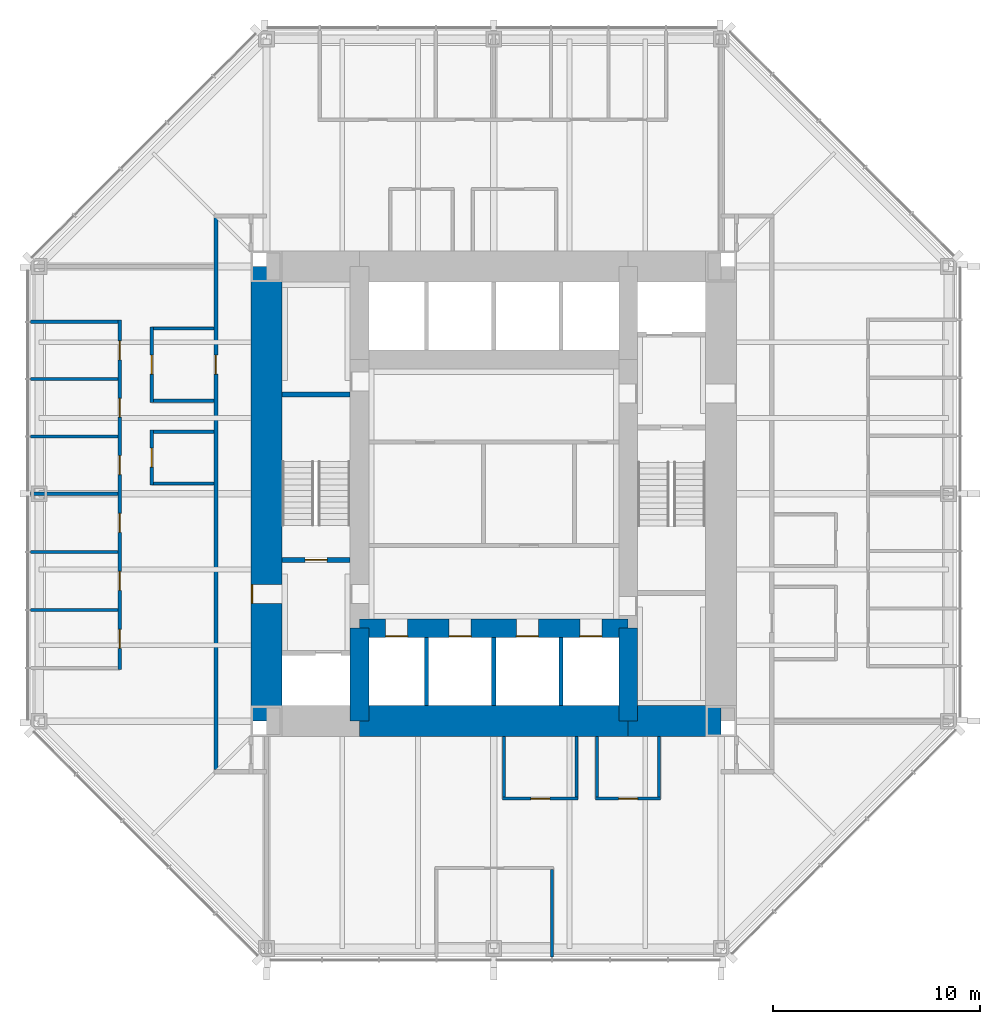
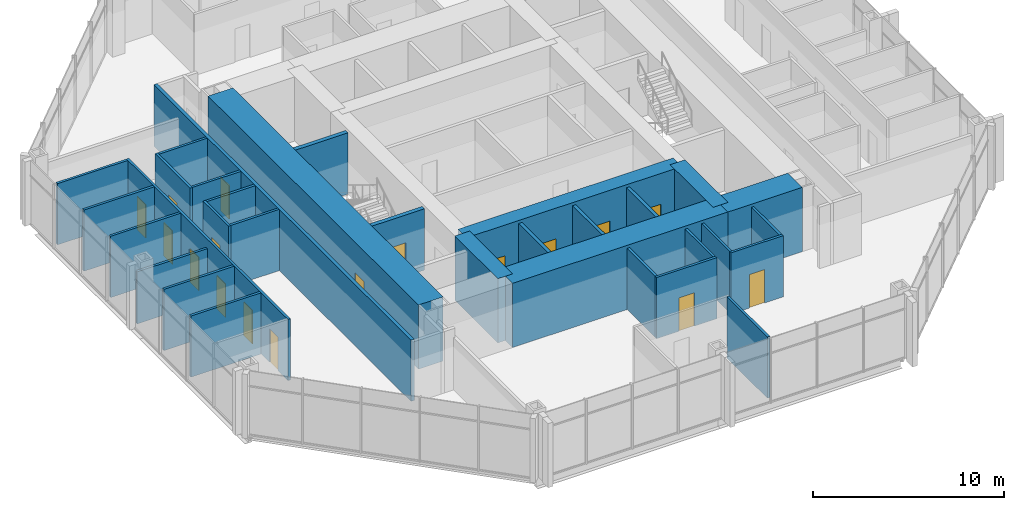
# One storey, part 9 of 14: 32 walls, 17 doors, 17 openings.
"""IFC4 building model written with IfcOpenShell, lengths in metres."""

from ifc_helpers import new_model, si_unit, direction, frame, frame_2d, origin, place, context, subcontext, project, spatial, rectangle, extrude, material, layer, layer_set, type_object, element, fill, save


model = new_model("IFC4")

# Units and contexts
model_context = context("Model", 3, precision=1e-05, world=origin(), true_north=direction((0.0, 1.0)))
body_context = subcontext(model_context, "Body", "Model", "MODEL_VIEW")
ifc_project = project(units=[si_unit("LENGTHUNIT", "METRE"), si_unit("AREAUNIT", "SQUARE_METRE"), si_unit("VOLUMEUNIT", "CUBIC_METRE"), si_unit("PLANEANGLEUNIT", "RADIAN"), si_unit("MASSUNIT", "GRAM", prefix="KILO")], contexts=[model_context])

# Site, building, storey
site_placement = place(None, origin())
site = spatial("IfcSite", under=ifc_project, at=site_placement, CompositionType="ELEMENT")
building_placement = place(site_placement, origin())
building = spatial("IfcBuilding", under=site, at=building_placement, Name="Trevanion Tower", CompositionType="ELEMENT")
storey_placement = place(building_placement, frame((0.0, 0.0, 100.800048828125)))
storey = spatial("IfcBuildingStorey", under=building, at=storey_placement, Name="L23", CompositionType="ELEMENT", Elevation=100.800048828125)

# Wall, opening, door
ifc_material_1 = material(Name="Concrete 10,000 psi", Category="concrete")
ifc_layer_1 = layer(ifc_material_1, 1.5)
ifc_layer_set_1 = layer_set([ifc_layer_1], Name="CW1 core wall 1500")
wall_type_1 = type_object("IfcWallType", Name="CW1 core wall 1500", PredefinedType="SHEAR", material=ifc_layer_set_1)
wall_1_placement = place(storey_placement, frame((-11.0, 11.0, 0.0), z_axis=(0.0, 0.0, 1.0), x_axis=(0.0, -1.0, 0.0)))
wall_1 = element("IfcWall", 1, at=wall_1_placement, inside=storey, type_object=wall_type_1, Name="CW1 CW L23", PredefinedType="SHEAR", context=body_context, shape_type="SweptSolid", body=[
    extrude(rectangle(XDim=22.0, YDim=1.5, at=frame_2d((11.0, 0.0))), origin(), (0.0, 0.0, 1.0), 4.099853515625),
])
opening_1_placement = place(wall_1_placement, frame((15.392578125, 0.0, 0.0)))
opening_1 = element("IfcOpeningElement", 2, at=opening_1_placement, cuts=wall_1, Name="Opening 23-002", PredefinedType="OPENING", context=body_context, shape_type="SweptSolid", body=[
    extrude(rectangle(XDim=0.9150390625, YDim=2.134033203125, at=frame_2d((0.45751953125, 1.06689453125))), frame((0.0, 0.760009765625, 0.0), z_axis=(0.0, -1.0, 0.0), x_axis=(1.0, 0.0, 0.0)), (0.0, 0.0, 1.0), 1.52001953125),
])
ifc_material_2 = material(Name="Hollow metal, fire rated", Category="steel")
door_type_1 = type_object("IfcDoorType", Name="D3 fire lift lobby door", OperationType="SINGLE_SWING_RIGHT", PredefinedType="DOOR", material=ifc_material_2)
door_1_placement = place(opening_1_placement, origin())
door_1 = element("IfcDoor", 3, at=door_1_placement, inside=storey, type_object=door_type_1, Name="Door 23-002", OperationType="SINGLE_SWING_RIGHT", OverallHeight=2.134033203125, OverallWidth=0.9150390625, PredefinedType="DOOR", context=body_context, shape_type="SweptSolid", body=[
    extrude(rectangle(XDim=0.9150390625, YDim=2.134033203125, at=frame_2d((0.45751953125, 1.06689453125))), frame((0.0, -0.6748046875, 0.0), z_axis=(0.0, -1.0, 0.0), x_axis=(1.0, 0.0, 0.0)), (0.0, 0.0, 1.0), 0.050048828125),
])
fill(opening_1, door_1)

# Walls
wall_2_placement = place(storey_placement, frame((-6.5, -11.0, 0.0), z_axis=(0.0, 0.0, 1.0), x_axis=(1.0, 0.0, 0.0)))
element("IfcWall", 4, at=wall_2_placement, inside=storey, type_object=wall_type_1, Name="CW1 CS2 L23", PredefinedType="SHEAR", context=body_context, shape_type="SweptSolid", body=[
    extrude(rectangle(XDim=13.0, YDim=1.5, at=frame_2d((6.5, 0.0))), origin(), (0.0, 0.0, 1.0), 4.099853515625),
])
wall_3_placement = place(storey_placement, frame((6.5, -11.0, 0.0), z_axis=(0.0, 0.0, 1.0), x_axis=(1.0, 0.0, 0.0)))
element("IfcWall", 5, at=wall_3_placement, inside=storey, type_object=wall_type_1, Name="CW1 CS3 L23", PredefinedType="SHEAR", context=body_context, shape_type="SweptSolid", body=[
    extrude(rectangle(XDim=4.5, YDim=1.5, at=frame_2d((2.25, 0.0))), origin(), (0.0, 0.0, 1.0), 4.099853515625),
])
ifc_material_3 = material(Name="Concrete 10,000 psi", Category="concrete")
ifc_layer_2 = layer(ifc_material_3, 0.89990234375)
ifc_layer_set_2 = layer_set([ifc_layer_2], Name="CW2 core wall 900")
wall_type_2 = type_object("IfcWallType", Name="CW2 core wall 900", PredefinedType="SHEAR", material=ifc_layer_set_2)
for number, where, z_axis, x_axis, name in (
    (6, (6.5, -11.0, 0.0), (0.0, 0.0, 1.0), (0.0, 1.0, 0.0), "CW2 RE1 L23"),
    (7, (-6.5, -6.5, 0.0), (0.0, 0.0, 1.0), (0.0, -1.0, 0.0), "CW2 RW3 L23"),
):
    element("IfcWall", number, at=place(storey_placement, frame(where, z_axis=z_axis, x_axis=x_axis)), inside=storey, type_object=wall_type_2, Name=name, PredefinedType="SHEAR", context=body_context, shape_type="SweptSolid", body=[
        extrude(rectangle(XDim=4.5, YDim=0.89990234375, at=frame_2d((2.25, 0.0))), origin(), (0.0, 0.0, 1.0), 4.099853515625),
    ])

# Wall, openings, doors
wall_4_placement = place(storey_placement, frame((-6.5, -6.5, 0.0), z_axis=(0.0, 0.0, 1.0), x_axis=(1.0, 0.0, 0.0)))
wall_4 = element("IfcWall", 8, at=wall_4_placement, inside=storey, type_object=wall_type_2, Name="CW2 RS L23", PredefinedType="SHEAR", context=body_context, shape_type="SweptSolid", body=[
    extrude(rectangle(XDim=13.0, YDim=0.89990234375, at=frame_2d((6.5, 0.0))), origin(), (0.0, 0.0, 1.0), 4.099853515625),
])
opening_2_placement = place(wall_4_placement, frame((1.2666015625, 0.0, 0.0)))
opening_2 = element("IfcOpeningElement", 9, at=opening_2_placement, cuts=wall_4, Name="Opening 23-011", PredefinedType="OPENING", context=body_context, shape_type="SweptSolid", body=[
    extrude(rectangle(XDim=1.06689453125, YDim=2.134033203125, at=frame_2d((0.533447265625, 1.06689453125))), frame((0.0, 0.4599609375, 0.0), z_axis=(0.0, -1.0, 0.0), x_axis=(1.0, 0.0, 0.0)), (0.0, 0.0, 1.0), 0.919921875),
])
opening_3_placement = place(wall_4_placement, frame((4.341552734375, 0.0, 0.0)))
opening_3 = element("IfcOpeningElement", 10, at=opening_3_placement, cuts=wall_4, Name="Opening 23-012", PredefinedType="OPENING", context=body_context, shape_type="SweptSolid", body=[
    extrude(rectangle(XDim=1.06689453125, YDim=2.134033203125, at=frame_2d((0.533447265625, 1.06689453125))), frame((0.0, 0.4599609375, 0.0), z_axis=(0.0, -1.0, 0.0), x_axis=(1.0, 0.0, 0.0)), (0.0, 0.0, 1.0), 0.919921875),
])
opening_4_placement = place(wall_4_placement, frame((7.591552734375, 0.0, 0.0)))
opening_4 = element("IfcOpeningElement", 11, at=opening_4_placement, cuts=wall_4, Name="Opening 23-013", PredefinedType="OPENING", context=body_context, shape_type="SweptSolid", body=[
    extrude(rectangle(XDim=1.06689453125, YDim=2.134033203125, at=frame_2d((0.533447265625, 1.06689453125))), frame((0.0, 0.4599609375, 0.0), z_axis=(0.0, -1.0, 0.0), x_axis=(1.0, 0.0, 0.0)), (0.0, 0.0, 1.0), 0.919921875),
])
opening_5_placement = place(wall_4_placement, frame((10.66650390625, 0.0, 0.0)))
opening_5 = element("IfcOpeningElement", 12, at=opening_5_placement, cuts=wall_4, Name="Opening 23-014", PredefinedType="OPENING", context=body_context, shape_type="SweptSolid", body=[
    extrude(rectangle(XDim=1.06689453125, YDim=2.134033203125, at=frame_2d((0.533447265625, 1.06689453125))), frame((0.0, 0.4599609375, 0.0), z_axis=(0.0, -1.0, 0.0), x_axis=(1.0, 0.0, 0.0)), (0.0, 0.0, 1.0), 0.919921875),
])
ifc_material_4 = material(Name="Stainless steel, fire rated", Category="steel")
door_type_2 = type_object("IfcDoorType", Name="LD1 lift landing door", OperationType="SLIDING_TO_LEFT", PredefinedType="DOOR", material=ifc_material_4)
door_2_placement = place(opening_2_placement, origin())
door_2 = element("IfcDoor", 13, at=door_2_placement, inside=storey, type_object=door_type_2, Name="Door 23-011", OperationType="SLIDING_TO_LEFT", OverallHeight=2.134033203125, OverallWidth=1.06689453125, PredefinedType="DOOR", context=body_context, shape_type="SweptSolid", body=[
    extrude(rectangle(XDim=1.06689453125, YDim=2.134033203125, at=frame_2d((0.533447265625, 1.06689453125))), frame((0.0, -0.375, 0.0), z_axis=(0.0, -1.0, 0.0), x_axis=(1.0, 0.0, 0.0)), (0.0, 0.0, 1.0), 0.050048828125),
])
fill(opening_2, door_2)
door_3_placement = place(opening_3_placement, origin())
door_3 = element("IfcDoor", 14, at=door_3_placement, inside=storey, type_object=door_type_2, Name="Door 23-012", OperationType="SLIDING_TO_LEFT", OverallHeight=2.134033203125, OverallWidth=1.06689453125, PredefinedType="DOOR", context=body_context, shape_type="SweptSolid", body=[
    extrude(rectangle(XDim=1.06689453125, YDim=2.134033203125, at=frame_2d((0.533447265625, 1.06689453125))), frame((0.0, -0.375, 0.0), z_axis=(0.0, -1.0, 0.0), x_axis=(1.0, 0.0, 0.0)), (0.0, 0.0, 1.0), 0.050048828125),
])
fill(opening_3, door_3)
door_4_placement = place(opening_4_placement, origin())
door_4 = element("IfcDoor", 15, at=door_4_placement, inside=storey, type_object=door_type_2, Name="Door 23-013", OperationType="SLIDING_TO_LEFT", OverallHeight=2.134033203125, OverallWidth=1.06689453125, PredefinedType="DOOR", context=body_context, shape_type="SweptSolid", body=[
    extrude(rectangle(XDim=1.06689453125, YDim=2.134033203125, at=frame_2d((0.533447265625, 1.06689453125))), frame((0.0, -0.375, 0.0), z_axis=(0.0, -1.0, 0.0), x_axis=(1.0, 0.0, 0.0)), (0.0, 0.0, 1.0), 0.050048828125),
])
fill(opening_4, door_4)
door_5_placement = place(opening_5_placement, origin())
door_5 = element("IfcDoor", 16, at=door_5_placement, inside=storey, type_object=door_type_2, Name="Door 23-014", OperationType="SLIDING_TO_LEFT", OverallHeight=2.134033203125, OverallWidth=1.06689453125, PredefinedType="DOOR", context=body_context, shape_type="SweptSolid", body=[
    extrude(rectangle(XDim=1.06689453125, YDim=2.134033203125, at=frame_2d((0.533447265625, 1.06689453125))), frame((0.0, -0.375, 0.0), z_axis=(0.0, -1.0, 0.0), x_axis=(1.0, 0.0, 0.0)), (0.0, 0.0, 1.0), 0.050048828125),
])
fill(opening_5, door_5)

ifc_material_5 = material(Name="Gypsum board on steel studs", Category="steel")
ifc_layer_3 = layer(ifc_material_5, 0.14990234375)
ifc_layer_set_3 = layer_set([ifc_layer_3], Name="PT1 partition 150")
wall_type_3 = type_object("IfcWallType", Name="PT1 partition 150", PredefinedType="PARTITIONING", material=ifc_layer_set_3)
wall_5_placement = place(storey_placement, frame((-18.10009765625, 8.39794921875, 0.0), z_axis=(0.0, 0.0, 1.0), x_axis=(0.0, -1.0, 0.0)))
wall_5 = element("IfcWall", 17, at=wall_5_placement, inside=storey, type_object=wall_type_3, Name="PT1 L23 FC2F", PredefinedType="PARTITIONING", context=body_context, shape_type="SweptSolid", body=[
    extrude(rectangle(XDim=16.89404296875, YDim=0.14990234375, at=frame_2d((8.447021484375, 0.0))), origin(), (0.0, 0.0, 1.0), 3.909912109375),
])
opening_6_placement = place(wall_5_placement, frame((1.00439453125, 0.0, 0.0)))
opening_6 = element("IfcOpeningElement", 18, at=opening_6_placement, cuts=wall_5, Name="Opening 23-033", PredefinedType="OPENING", context=body_context, shape_type="SweptSolid", body=[
    extrude(rectangle(XDim=0.9150390625, YDim=2.134033203125, at=frame_2d((0.45751953125, 1.06689453125))), frame((0.0, 0.0849609375, 0.0), z_axis=(0.0, -1.0, 0.0), x_axis=(1.0, 0.0, 0.0)), (0.0, 0.0, 1.0), 0.169921875),
])
opening_7_placement = place(wall_5_placement, frame((3.778564453125, 0.0, 0.0)))
opening_7 = element("IfcOpeningElement", 19, at=opening_7_placement, cuts=wall_5, Name="Opening 23-034", PredefinedType="OPENING", context=body_context, shape_type="SweptSolid", body=[
    extrude(rectangle(XDim=0.9150390625, YDim=2.134033203125, at=frame_2d((0.45751953125, 1.06689453125))), frame((0.0, 0.0849609375, 0.0), z_axis=(0.0, -1.0, 0.0), x_axis=(1.0, 0.0, 0.0)), (0.0, 0.0, 1.0), 0.169921875),
])
opening_8_placement = place(wall_5_placement, frame((6.552978515625, 0.0, 0.0)))
opening_8 = element("IfcOpeningElement", 20, at=opening_8_placement, cuts=wall_5, Name="Opening 23-035", PredefinedType="OPENING", context=body_context, shape_type="SweptSolid", body=[
    extrude(rectangle(XDim=0.9150390625, YDim=2.134033203125, at=frame_2d((0.45751953125, 1.06689453125))), frame((0.0, 0.0849609375, 0.0), z_axis=(0.0, -1.0, 0.0), x_axis=(1.0, 0.0, 0.0)), (0.0, 0.0, 1.0), 0.169921875),
])
opening_9_placement = place(wall_5_placement, frame((9.343994140625, 0.0, 0.0)))
opening_9 = element("IfcOpeningElement", 21, at=opening_9_placement, cuts=wall_5, Name="Opening 23-036", PredefinedType="OPENING", context=body_context, shape_type="SweptSolid", body=[
    extrude(rectangle(XDim=0.9150390625, YDim=2.134033203125, at=frame_2d((0.45751953125, 1.06689453125))), frame((0.0, 0.0849609375, 0.0), z_axis=(0.0, -1.0, 0.0), x_axis=(1.0, 0.0, 0.0)), (0.0, 0.0, 1.0), 0.169921875),
])
opening_10_placement = place(wall_5_placement, frame((12.15087890625, 0.0, 0.0)))
opening_10 = element("IfcOpeningElement", 22, at=opening_10_placement, cuts=wall_5, Name="Opening 23-037", PredefinedType="OPENING", context=body_context, shape_type="SweptSolid", body=[
    extrude(rectangle(XDim=0.9150390625, YDim=2.134033203125, at=frame_2d((0.45751953125, 1.06689453125))), frame((0.0, 0.0849609375, 0.0), z_axis=(0.0, -1.0, 0.0), x_axis=(1.0, 0.0, 0.0)), (0.0, 0.0, 1.0), 0.169921875),
])
opening_11_placement = place(wall_5_placement, frame((14.9580078125, 0.0, 0.0)))
opening_11 = element("IfcOpeningElement", 23, at=opening_11_placement, cuts=wall_5, Name="Opening 23-038", PredefinedType="OPENING", context=body_context, shape_type="SweptSolid", body=[
    extrude(rectangle(XDim=0.9150390625, YDim=2.134033203125, at=frame_2d((0.45751953125, 1.06689453125))), frame((0.0, 0.0849609375, 0.0), z_axis=(0.0, -1.0, 0.0), x_axis=(1.0, 0.0, 0.0)), (0.0, 0.0, 1.0), 0.169921875),
])
ifc_material_6 = material(Name="Timber veneer, solid core", Category="wood")
door_type_3 = type_object("IfcDoorType", Name="D1 office and meeting room door", OperationType="SINGLE_SWING_LEFT", PredefinedType="DOOR", material=ifc_material_6)
door_6_placement = place(opening_6_placement, origin())
door_6 = element("IfcDoor", 24, at=door_6_placement, inside=storey, type_object=door_type_3, Name="Door 23-033", OperationType="SINGLE_SWING_LEFT", OverallHeight=2.134033203125, OverallWidth=0.9150390625, PredefinedType="DOOR", context=body_context, shape_type="SweptSolid", body=[
    extrude(rectangle(XDim=0.9150390625, YDim=2.134033203125, at=frame_2d((0.45751953125, 1.06689453125))), frame((0.0, 0.02490234375, 0.0), z_axis=(0.0, -1.0, 0.0), x_axis=(1.0, 0.0, 0.0)), (0.0, 0.0, 1.0), 0.050048828125),
])
fill(opening_6, door_6)
door_7_placement = place(opening_7_placement, origin())
door_7 = element("IfcDoor", 25, at=door_7_placement, inside=storey, type_object=door_type_3, Name="Door 23-034", OperationType="SINGLE_SWING_LEFT", OverallHeight=2.134033203125, OverallWidth=0.9150390625, PredefinedType="DOOR", context=body_context, shape_type="SweptSolid", body=[
    extrude(rectangle(XDim=0.9150390625, YDim=2.134033203125, at=frame_2d((0.45751953125, 1.06689453125))), frame((0.0, 0.02490234375, 0.0), z_axis=(0.0, -1.0, 0.0), x_axis=(1.0, 0.0, 0.0)), (0.0, 0.0, 1.0), 0.050048828125),
])
fill(opening_7, door_7)
door_8_placement = place(opening_8_placement, origin())
door_8 = element("IfcDoor", 26, at=door_8_placement, inside=storey, type_object=door_type_3, Name="Door 23-035", OperationType="SINGLE_SWING_LEFT", OverallHeight=2.134033203125, OverallWidth=0.9150390625, PredefinedType="DOOR", context=body_context, shape_type="SweptSolid", body=[
    extrude(rectangle(XDim=0.9150390625, YDim=2.134033203125, at=frame_2d((0.45751953125, 1.06689453125))), frame((0.0, 0.02490234375, 0.0), z_axis=(0.0, -1.0, 0.0), x_axis=(1.0, 0.0, 0.0)), (0.0, 0.0, 1.0), 0.050048828125),
])
fill(opening_8, door_8)
door_9_placement = place(opening_9_placement, origin())
door_9 = element("IfcDoor", 27, at=door_9_placement, inside=storey, type_object=door_type_3, Name="Door 23-036", OperationType="SINGLE_SWING_LEFT", OverallHeight=2.134033203125, OverallWidth=0.9150390625, PredefinedType="DOOR", context=body_context, shape_type="SweptSolid", body=[
    extrude(rectangle(XDim=0.9150390625, YDim=2.134033203125, at=frame_2d((0.45751953125, 1.06689453125))), frame((0.0, 0.02490234375, 0.0), z_axis=(0.0, -1.0, 0.0), x_axis=(1.0, 0.0, 0.0)), (0.0, 0.0, 1.0), 0.050048828125),
])
fill(opening_9, door_9)
door_10_placement = place(opening_10_placement, origin())
door_10 = element("IfcDoor", 28, at=door_10_placement, inside=storey, type_object=door_type_3, Name="Door 23-037", OperationType="SINGLE_SWING_LEFT", OverallHeight=2.134033203125, OverallWidth=0.9150390625, PredefinedType="DOOR", context=body_context, shape_type="SweptSolid", body=[
    extrude(rectangle(XDim=0.9150390625, YDim=2.134033203125, at=frame_2d((0.45751953125, 1.06689453125))), frame((0.0, 0.02490234375, 0.0), z_axis=(0.0, -1.0, 0.0), x_axis=(1.0, 0.0, 0.0)), (0.0, 0.0, 1.0), 0.050048828125),
])
fill(opening_10, door_10)
door_11_placement = place(opening_11_placement, origin())
door_11 = element("IfcDoor", 29, at=door_11_placement, inside=storey, type_object=door_type_3, Name="Door 23-038", OperationType="SINGLE_SWING_LEFT", OverallHeight=2.134033203125, OverallWidth=0.9150390625, PredefinedType="DOOR", context=body_context, shape_type="SweptSolid", body=[
    extrude(rectangle(XDim=0.9150390625, YDim=2.134033203125, at=frame_2d((0.45751953125, 1.06689453125))), frame((0.0, 0.02490234375, 0.0), z_axis=(0.0, -1.0, 0.0), x_axis=(1.0, 0.0, 0.0)), (0.0, 0.0, 1.0), 0.050048828125),
])
fill(opening_11, door_11)

# Walls
for number, where, z_axis, x_axis, name in (
    (30, (-18.175048828125, 8.322998046875, 0.0), (0.0, 0.0, 1.0), (-1.0, 0.0, 0.0), "PT1 L23 FC2S0"),
    (31, (-18.175048828125, 5.549072265625, 0.0), (0.0, 0.0, 1.0), (-1.0, 0.0, 0.0), "PT1 L23 FC2S1"),
    (32, (-18.175048828125, 2.77490234375, 0.0), (0.0, 0.0, 1.0), (-1.0, 0.0, 0.0), "PT1 L23 FC2S2"),
):
    element("IfcWall", number, at=place(storey_placement, frame(where, z_axis=z_axis, x_axis=x_axis)), inside=storey, type_object=wall_type_3, Name=name, PredefinedType="PARTITIONING", context=body_context, shape_type="SweptSolid", body=[
        extrude(rectangle(XDim=4.239990234375, YDim=0.14990234375, at=frame_2d((2.1201171875, 0.0))), origin(), (0.0, 0.0, 1.0), 3.909912109375),
    ])
wall_6_placement = place(storey_placement, frame((-18.175048828125, 0.0, 0.0), z_axis=(0.0, 0.0, 1.0), x_axis=(-1.0, 0.0, 0.0)))
element("IfcWall", 33, at=wall_6_placement, inside=storey, type_object=wall_type_3, Name="PT1 L23 FC2S3", PredefinedType="PARTITIONING", context=body_context, shape_type="SweptSolid", body=[
    extrude(rectangle(XDim=4.239990234375, YDim=0.14990234375, at=frame_2d((2.1201171875, 0.0))), origin(), (0.0, 0.0, 1.0), 3.32568359375),
])
for number, where, z_axis, x_axis, name in (
    (34, (-18.175048828125, -2.806884765625, 0.0), (0.0, 0.0, 1.0), (-1.0, 0.0, 0.0), "PT1 L23 FC2S4"),
    (35, (-18.175048828125, -5.614013671875, 0.0), (0.0, 0.0, 1.0), (-1.0, 0.0, 0.0), "PT1 L23 FC2S5"),
    (36, (2.806884765625, -18.175048828125, 0.0), (0.0, 0.0, 1.0), (0.0, -1.0, 0.0), "PT1 L23 FC3S2"),
):
    element("IfcWall", number, at=place(storey_placement, frame(where, z_axis=z_axis, x_axis=x_axis)), inside=storey, type_object=wall_type_3, Name=name, PredefinedType="PARTITIONING", context=body_context, shape_type="SweptSolid", body=[
        extrude(rectangle(XDim=4.239990234375, YDim=0.14990234375, at=frame_2d((2.1201171875, 0.0))), origin(), (0.0, 0.0, 1.0), 3.909912109375),
    ])

# Wall, opening, door
wall_7_placement = place(storey_placement, frame((-16.550048828125, 8.074951171875, 0.0), z_axis=(0.0, 0.0, 1.0), x_axis=(0.0, -1.0, 0.0)))
wall_7 = element("IfcWall", 37, at=wall_7_placement, inside=storey, type_object=wall_type_3, Name="PT1 L23 IN20F", PredefinedType="PARTITIONING", context=body_context, shape_type="SweptSolid", body=[
    extrude(rectangle(XDim=3.64990234375, YDim=0.14990234375, at=frame_2d((1.824951171875, 0.0))), origin(), (0.0, 0.0, 1.0), 3.909912109375),
])
opening_12_placement = place(wall_7_placement, frame((1.367431640625, 0.0, 0.0)))
opening_12 = element("IfcOpeningElement", 38, at=opening_12_placement, cuts=wall_7, Name="Opening 23-045", PredefinedType="OPENING", context=body_context, shape_type="SweptSolid", body=[
    extrude(rectangle(XDim=0.9150390625, YDim=2.134033203125, at=frame_2d((0.45751953125, 1.06689453125))), frame((0.0, 0.0849609375, 0.0), z_axis=(0.0, -1.0, 0.0), x_axis=(1.0, 0.0, 0.0)), (0.0, 0.0, 1.0), 0.169921875),
])
door_12_placement = place(opening_12_placement, origin())
door_12 = element("IfcDoor", 39, at=door_12_placement, inside=storey, type_object=door_type_3, Name="Door 23-045", OperationType="SINGLE_SWING_LEFT", OverallHeight=2.134033203125, OverallWidth=0.9150390625, PredefinedType="DOOR", context=body_context, shape_type="SweptSolid", body=[
    extrude(rectangle(XDim=0.9150390625, YDim=2.134033203125, at=frame_2d((0.45751953125, 1.06689453125))), frame((0.0, 0.02490234375, 0.0), z_axis=(0.0, -1.0, 0.0), x_axis=(1.0, 0.0, 0.0)), (0.0, 0.0, 1.0), 0.050048828125),
])
fill(opening_12, door_12)

# Walls
for number, where, z_axis, x_axis, name in (
    (40, (-16.47509765625, 8.0, 0.0), (0.0, 0.0, 1.0), (1.0, 0.0, 0.0), "PT1 L23 IN20S0"),
    (41, (-16.47509765625, 4.5, 0.0), (0.0, 0.0, 1.0), (1.0, 0.0, 0.0), "PT1 L23 IN20S1"),
):
    element("IfcWall", number, at=place(storey_placement, frame(where, z_axis=z_axis, x_axis=x_axis)), inside=storey, type_object=wall_type_3, Name=name, PredefinedType="PARTITIONING", context=body_context, shape_type="SweptSolid", body=[
        extrude(rectangle(XDim=2.925048828125, YDim=0.14990234375, at=frame_2d((1.46240234375, 0.0))), origin(), (0.0, 0.0, 1.0), 3.909912109375),
    ])

# Wall, opening, door
wall_8_placement = place(storey_placement, frame((-16.550048828125, 3.074951171875, 0.0), z_axis=(0.0, 0.0, 1.0), x_axis=(0.0, -1.0, 0.0)))
wall_8 = element("IfcWall", 42, at=wall_8_placement, inside=storey, type_object=wall_type_3, Name="PT1 L23 IN21F", PredefinedType="PARTITIONING", context=body_context, shape_type="SweptSolid", body=[
    extrude(rectangle(XDim=2.64990234375, YDim=0.14990234375, at=frame_2d((1.324951171875, 0.0))), origin(), (0.0, 0.0, 1.0), 3.909912109375),
])
opening_13_placement = place(wall_8_placement, frame((0.867431640625, 0.0, 0.0)))
opening_13 = element("IfcOpeningElement", 43, at=opening_13_placement, cuts=wall_8, Name="Opening 23-047", PredefinedType="OPENING", context=body_context, shape_type="SweptSolid", body=[
    extrude(rectangle(XDim=0.9150390625, YDim=2.134033203125, at=frame_2d((0.45751953125, 1.06689453125))), frame((0.0, 0.0849609375, 0.0), z_axis=(0.0, -1.0, 0.0), x_axis=(1.0, 0.0, 0.0)), (0.0, 0.0, 1.0), 0.169921875),
])
door_13_placement = place(opening_13_placement, origin())
door_13 = element("IfcDoor", 44, at=door_13_placement, inside=storey, type_object=door_type_3, Name="Door 23-047", OperationType="SINGLE_SWING_LEFT", OverallHeight=2.134033203125, OverallWidth=0.9150390625, PredefinedType="DOOR", context=body_context, shape_type="SweptSolid", body=[
    extrude(rectangle(XDim=0.9150390625, YDim=2.134033203125, at=frame_2d((0.45751953125, 1.06689453125))), frame((0.0, 0.02490234375, 0.0), z_axis=(0.0, -1.0, 0.0), x_axis=(1.0, 0.0, 0.0)), (0.0, 0.0, 1.0), 0.050048828125),
])
fill(opening_13, door_13)

# Walls
for number, where, z_axis, x_axis, name in (
    (45, (-16.47509765625, 3.0, 0.0), (0.0, 0.0, 1.0), (1.0, 0.0, 0.0), "PT1 L23 IN21S0"),
    (46, (-16.47509765625, 0.5, 0.0), (0.0, 0.0, 1.0), (1.0, 0.0, 0.0), "PT1 L23 IN21S1"),
):
    element("IfcWall", number, at=place(storey_placement, frame(where, z_axis=z_axis, x_axis=x_axis)), inside=storey, type_object=wall_type_3, Name=name, PredefinedType="PARTITIONING", context=body_context, shape_type="SweptSolid", body=[
        extrude(rectangle(XDim=2.925048828125, YDim=0.14990234375, at=frame_2d((1.46240234375, 0.0))), origin(), (0.0, 0.0, 1.0), 3.909912109375),
    ])

# Wall, opening, door
wall_9_placement = place(storey_placement, frame((0.425048828125, -14.75, 0.0), z_axis=(0.0, 0.0, 1.0), x_axis=(1.0, 0.0, 0.0)))
wall_9 = element("IfcWall", 47, at=wall_9_placement, inside=storey, type_object=wall_type_3, Name="PT1 L23 IN30F", PredefinedType="PARTITIONING", context=body_context, shape_type="SweptSolid", body=[
    extrude(rectangle(XDim=3.64990234375, YDim=0.14990234375, at=frame_2d((1.824951171875, 0.0))), origin(), (0.0, 0.0, 1.0), 3.909912109375),
])
opening_14_placement = place(wall_9_placement, frame((1.367431640625, 0.0, 0.0)))
opening_14 = element("IfcOpeningElement", 48, at=opening_14_placement, cuts=wall_9, Name="Opening 23-048", PredefinedType="OPENING", context=body_context, shape_type="SweptSolid", body=[
    extrude(rectangle(XDim=0.9150390625, YDim=2.134033203125, at=frame_2d((0.45751953125, 1.06689453125))), frame((0.0, 0.0849609375, 0.0), z_axis=(0.0, -1.0, 0.0), x_axis=(1.0, 0.0, 0.0)), (0.0, 0.0, 1.0), 0.169921875),
])
door_14_placement = place(opening_14_placement, origin())
door_14 = element("IfcDoor", 49, at=door_14_placement, inside=storey, type_object=door_type_3, Name="Door 23-048", OperationType="SINGLE_SWING_LEFT", OverallHeight=2.134033203125, OverallWidth=0.9150390625, PredefinedType="DOOR", context=body_context, shape_type="SweptSolid", body=[
    extrude(rectangle(XDim=0.9150390625, YDim=2.134033203125, at=frame_2d((0.45751953125, 1.06689453125))), frame((0.0, 0.02490234375, 0.0), z_axis=(0.0, -1.0, 0.0), x_axis=(1.0, 0.0, 0.0)), (0.0, 0.0, 1.0), 0.050048828125),
])
fill(opening_14, door_14)

# Walls
for number, where, z_axis, x_axis, name in (
    (50, (0.5, -14.675048828125, 0.0), (0.0, 0.0, 1.0), (0.0, 1.0, 0.0), "PT1 L23 IN30S0"),
    (51, (4.0, -14.675048828125, 0.0), (0.0, 0.0, 1.0), (0.0, 1.0, 0.0), "PT1 L23 IN30S1"),
):
    element("IfcWall", number, at=place(storey_placement, frame(where, z_axis=z_axis, x_axis=x_axis)), inside=storey, type_object=wall_type_3, Name=name, PredefinedType="PARTITIONING", context=body_context, shape_type="SweptSolid", body=[
        extrude(rectangle(XDim=2.925048828125, YDim=0.14990234375, at=frame_2d((1.46240234375, 0.0))), origin(), (0.0, 0.0, 1.0), 3.909912109375),
    ])

# Wall, opening, door
wall_10_placement = place(storey_placement, frame((4.925048828125, -14.75, 0.0), z_axis=(0.0, 0.0, 1.0), x_axis=(1.0, 0.0, 0.0)))
wall_10 = element("IfcWall", 52, at=wall_10_placement, inside=storey, type_object=wall_type_3, Name="PT1 L23 IN31F", PredefinedType="PARTITIONING", context=body_context, shape_type="SweptSolid", body=[
    extrude(rectangle(XDim=3.14990234375, YDim=0.14990234375, at=frame_2d((1.574951171875, 0.0))), origin(), (0.0, 0.0, 1.0), 3.909912109375),
])
opening_15_placement = place(wall_10_placement, frame((1.117431640625, 0.0, 0.0)))
opening_15 = element("IfcOpeningElement", 53, at=opening_15_placement, cuts=wall_10, Name="Opening 23-049", PredefinedType="OPENING", context=body_context, shape_type="SweptSolid", body=[
    extrude(rectangle(XDim=0.9150390625, YDim=2.134033203125, at=frame_2d((0.45751953125, 1.06689453125))), frame((0.0, 0.0849609375, 0.0), z_axis=(0.0, -1.0, 0.0), x_axis=(1.0, 0.0, 0.0)), (0.0, 0.0, 1.0), 0.169921875),
])
door_15_placement = place(opening_15_placement, origin())
door_15 = element("IfcDoor", 54, at=door_15_placement, inside=storey, type_object=door_type_3, Name="Door 23-049", OperationType="SINGLE_SWING_LEFT", OverallHeight=2.134033203125, OverallWidth=0.9150390625, PredefinedType="DOOR", context=body_context, shape_type="SweptSolid", body=[
    extrude(rectangle(XDim=0.9150390625, YDim=2.134033203125, at=frame_2d((0.45751953125, 1.06689453125))), frame((0.0, 0.02490234375, 0.0), z_axis=(0.0, -1.0, 0.0), x_axis=(1.0, 0.0, 0.0)), (0.0, 0.0, 1.0), 0.050048828125),
])
fill(opening_15, door_15)

# Walls
for number, where, z_axis, x_axis, name in (
    (55, (5.0, -14.675048828125, 0.0), (0.0, 0.0, 1.0), (0.0, 1.0, 0.0), "PT1 L23 IN31S0"),
    (56, (8.0, -14.675048828125, 0.0), (0.0, 0.0, 1.0), (0.0, 1.0, 0.0), "PT1 L23 IN31S1"),
):
    element("IfcWall", number, at=place(storey_placement, frame(where, z_axis=z_axis, x_axis=x_axis)), inside=storey, type_object=wall_type_3, Name=name, PredefinedType="PARTITIONING", context=body_context, shape_type="SweptSolid", body=[
        extrude(rectangle(XDim=2.925048828125, YDim=0.14990234375, at=frame_2d((1.46240234375, 0.0))), origin(), (0.0, 0.0, 1.0), 3.909912109375),
    ])

# Wall, opening, door
ifc_material_7 = material(Name="Concrete masonry, grouted", Category="masonry")
ifc_layer_4 = layer(ifc_material_7, 0.199951171875)
ifc_layer_set_4 = layer_set([ifc_layer_4], Name="PT2 partition 200 1 HR")
wall_type_4 = type_object("IfcWallType", Name="PT2 partition 200 1 HR", PredefinedType="PARTITIONING", material=ifc_layer_set_4)
wall_11_placement = place(storey_placement, frame((-13.449951171875, 13.550048828125, 0.0), z_axis=(0.0, 0.0, 1.0), x_axis=(0.0, -1.0, 0.0)))
wall_11 = element("IfcWall", 57, at=wall_11_placement, inside=storey, type_object=wall_type_4, Name="PT2 L23 OC2", PredefinedType="PARTITIONING", context=body_context, shape_type="SweptSolid", body=[
    extrude(rectangle(XDim=26.900146484375, YDim=0.199951171875, at=frame_2d((13.4501953125, 0.0))), origin(), (0.0, 0.0, 1.0), 3.909912109375),
])
opening_16_placement = place(wall_11_placement, frame((6.842529296875, 0.0, 0.0)))
opening_16 = element("IfcOpeningElement", 58, at=opening_16_placement, cuts=wall_11, Name="Opening 23-046", PredefinedType="OPENING", context=body_context, shape_type="SweptSolid", body=[
    extrude(rectangle(XDim=0.9150390625, YDim=2.134033203125, at=frame_2d((0.45751953125, 1.06689453125))), frame((0.0, 0.10986328125, 0.0), z_axis=(0.0, -1.0, 0.0), x_axis=(1.0, 0.0, 0.0)), (0.0, 0.0, 1.0), 0.219970703125),
])
ifc_material_8 = material(Name="Timber veneer, fire rated", Category="wood")
door_type_4 = type_object("IfcDoorType", Name="D10 office door in a one hour wall", OperationType="SINGLE_SWING_LEFT", PredefinedType="DOOR", material=ifc_material_8)
door_16_placement = place(opening_16_placement, origin())
door_16 = element("IfcDoor", 59, at=door_16_placement, inside=storey, type_object=door_type_4, Name="Door 23-046", OperationType="SINGLE_SWING_LEFT", OverallHeight=2.134033203125, OverallWidth=0.9150390625, PredefinedType="DOOR", context=body_context, shape_type="SweptSolid", body=[
    extrude(rectangle(XDim=0.9150390625, YDim=2.134033203125, at=frame_2d((0.45751953125, 1.06689453125))), frame((0.0, 0.02490234375, 0.0), z_axis=(0.0, -1.0, 0.0), x_axis=(1.0, 0.0, 0.0)), (0.0, 0.0, 1.0), 0.050048828125),
])
fill(opening_16, door_16)

# Walls
ifc_material_9 = material(Name="Concrete masonry, grouted", Category="masonry")
ifc_layer_5 = layer(ifc_material_9, 0.199951171875)
ifc_layer_set_5 = layer_set([ifc_layer_5], Name="PT2 partition 200 2 HR")
wall_type_5 = type_object("IfcWallType", Name="PT2 partition 200 2 HR", PredefinedType="PARTITIONING", material=ifc_layer_set_5)
for number, where, z_axis, x_axis, name in (
    (60, (-3.25, -10.25, 0.0), (0.0, 0.0, 1.0), (0.0, 1.0, 0.0), "PT2 L23 SS0"),
    (61, (0.0, -10.25, 0.0), (0.0, 0.0, 1.0), (0.0, 1.0, 0.0), "PT2 L23 SS1"),
    (62, (3.25, -10.25, 0.0), (0.0, 0.0, 1.0), (0.0, 1.0, 0.0), "PT2 L23 SS2"),
):
    element("IfcWall", number, at=place(storey_placement, frame(where, z_axis=z_axis, x_axis=x_axis)), inside=storey, type_object=wall_type_5, Name=name, PredefinedType="PARTITIONING", context=body_context, shape_type="SweptSolid", body=[
        extrude(rectangle(XDim=3.300048828125, YDim=0.199951171875, at=frame_2d((1.64990234375, 0.0))), origin(), (0.0, 0.0, 1.0), 3.909912109375),
    ])
ifc_material_10 = material(Name="Reinforced masonry, fully grouted", Category="masonry")
ifc_layer_6 = layer(ifc_material_10, 0.25)
ifc_layer_set_6 = layer_set([ifc_layer_6], Name="SW1 stair shaft wall 250")
wall_type_6 = type_object("IfcWallType", Name="SW1 stair shaft wall 250", PredefinedType="SOLIDWALL", material=ifc_layer_set_6)
wall_12_placement = place(storey_placement, frame((-6.949951171875, 4.800048828125, 0.0), z_axis=(0.0, 0.0, 1.0), x_axis=(-1.0, 0.0, 0.0)))
element("IfcWall", 63, at=wall_12_placement, inside=storey, type_object=wall_type_6, Name="SW1 L23 WP1", PredefinedType="SOLIDWALL", context=body_context, shape_type="SweptSolid", body=[
    extrude(rectangle(XDim=3.300048828125, YDim=0.25, at=frame_2d((1.64990234375, 0.0))), origin(), (0.0, 0.0, 1.0), 3.909912109375),
])

# Wall, opening, door
wall_13_placement = place(storey_placement, frame((-6.949951171875, -3.199951171875, 0.0), z_axis=(0.0, 0.0, 1.0), x_axis=(-1.0, 0.0, 0.0)))
wall_13 = element("IfcWall", 64, at=wall_13_placement, inside=storey, type_object=wall_type_6, Name="SW1 L23 WP2", PredefinedType="SOLIDWALL", context=body_context, shape_type="SweptSolid", body=[
    extrude(rectangle(XDim=3.300048828125, YDim=0.25, at=frame_2d((1.64990234375, 0.0))), origin(), (0.0, 0.0, 1.0), 3.909912109375),
])
opening_17_placement = place(wall_13_placement, frame((1.116455078125, 0.0, 0.0)))
opening_17 = element("IfcOpeningElement", 65, at=opening_17_placement, cuts=wall_13, Name="Opening 23-006", PredefinedType="OPENING", context=body_context, shape_type="SweptSolid", body=[
    extrude(rectangle(XDim=1.06689453125, YDim=2.134033203125, at=frame_2d((0.533447265625, 1.06689453125))), frame((0.0, 0.135009765625, 0.0), z_axis=(0.0, -1.0, 0.0), x_axis=(1.0, 0.0, 0.0)), (0.0, 0.0, 1.0), 0.27001953125),
])
ifc_material_11 = material(Name="Hollow metal, fire rated", Category="steel")
door_type_5 = type_object("IfcDoorType", Name="D2 exit stair door", OperationType="SINGLE_SWING_LEFT", PredefinedType="DOOR", material=ifc_material_11)
door_17_placement = place(opening_17_placement, origin())
door_17 = element("IfcDoor", 66, at=door_17_placement, inside=storey, type_object=door_type_5, Name="Door 23-006", OperationType="SINGLE_SWING_LEFT", OverallHeight=2.134033203125, OverallWidth=1.06689453125, PredefinedType="DOOR", context=body_context, shape_type="SweptSolid", body=[
    extrude(rectangle(XDim=1.06689453125, YDim=2.134033203125, at=frame_2d((0.533447265625, 1.06689453125))), frame((0.0, 0.02490234375, 0.0), z_axis=(0.0, -1.0, 0.0), x_axis=(1.0, 0.0, 0.0)), (0.0, 0.0, 1.0), 0.050048828125),
])
fill(opening_17, door_17)

save(model, "model.ifc")
